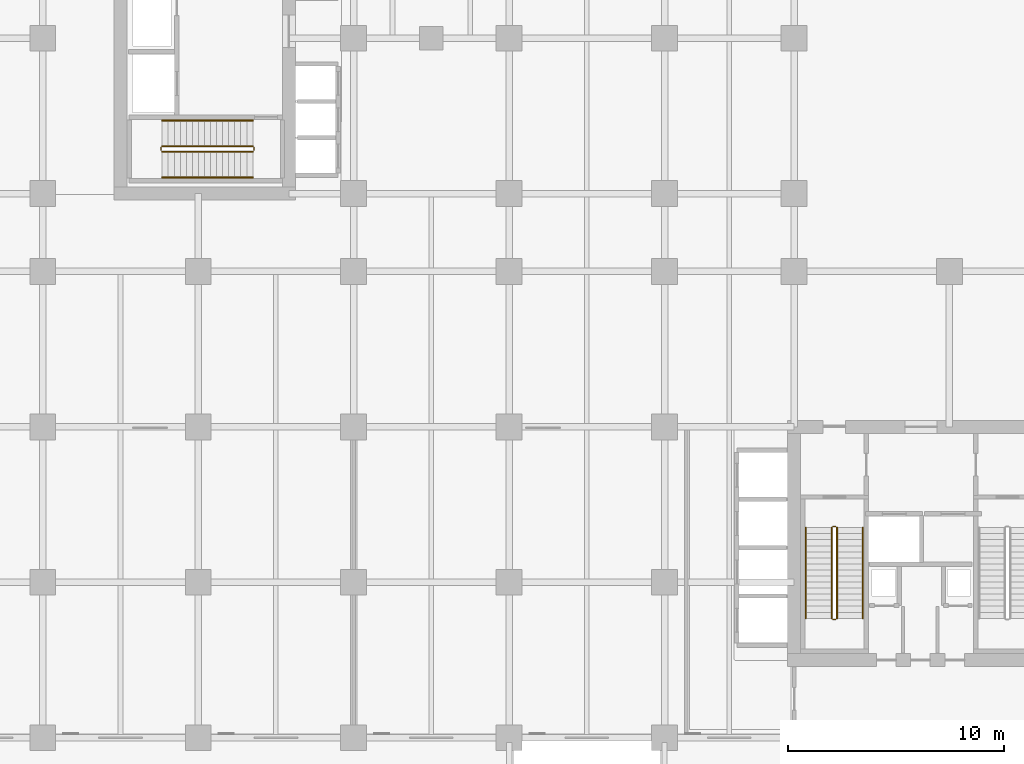
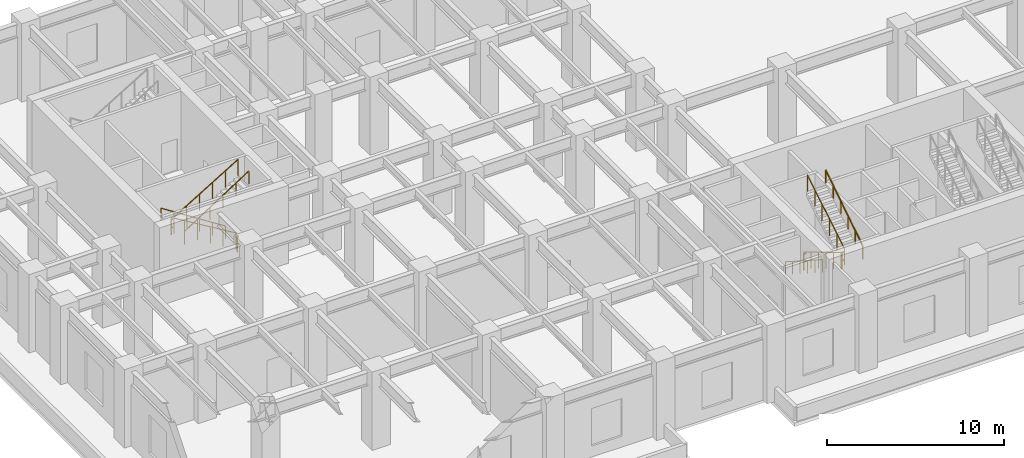
# One storey, part 16 of 20: 12 railings.
"""IFC4 building model written with IfcOpenShell, lengths in metres."""

from ifc_helpers import new_model, si_unit, derived_unit, direction, frame, origin, origin_2d, place, context, subcontext, project, spatial, rectangle, extrude, material, type_object, element, save


model = new_model("IFC4")

# Units and contexts
model_context = context("Model", 3, precision=1e-05, world=origin(), true_north=direction((0.0, 1.0)))
body_context = subcontext(model_context, "Body", "Model", "MODEL_VIEW")
ifc_project = project(units=[si_unit("LENGTHUNIT", "METRE"), si_unit("AREAUNIT", "SQUARE_METRE"), si_unit("VOLUMEUNIT", "CUBIC_METRE"), si_unit("PLANEANGLEUNIT", "RADIAN"), si_unit("MASSUNIT", "GRAM", prefix="KILO"), si_unit("THERMODYNAMICTEMPERATUREUNIT", "KELVIN"), si_unit("POWERUNIT", "WATT"), derived_unit("THERMALTRANSMITTANCEUNIT", [(si_unit("POWERUNIT", "WATT"), 1), (si_unit("AREAUNIT", "SQUARE_METRE"), -1), (si_unit("THERMODYNAMICTEMPERATUREUNIT", "KELVIN"), -1)])], contexts=[model_context])

# Site, building, storey
site_placement = place(None, origin())
site = spatial("IfcSite", under=ifc_project, at=site_placement, CompositionType="ELEMENT")
building_placement = place(site_placement, origin())
building = spatial("IfcBuilding", under=site, at=building_placement, Name="Zahravan Archway Hotel and Residences", CompositionType="ELEMENT")
storey_placement = place(building_placement, frame((0.0, 0.0, 16.199951171875)))
storey = spatial("IfcBuildingStorey", under=building, at=storey_placement, Name="L03", CompositionType="ELEMENT", Elevation=16.199951171875)

# Railings
ifc_material_1 = material(Name="Painted Tubular Steel", Category="steel")
railing_type_1 = type_object("IfcRailingType", Name="RL-STG-1150", PredefinedType="GUARDRAIL", material=ifc_material_1)
railing_1_placement = place(storey_placement, frame((36.550048828125, 9.72998046875, 0.168701171875)))
element("IfcRailing", 1, at=railing_1_placement, inside=storey, type_object=railing_type_1, Name="L03 ST-A1 stair guard 1", PredefinedType="GUARDRAIL", context=body_context, shape_type="SweptSolid", body=[
    extrude(rectangle(XDim=0.048095703125, YDim=0.048095703125, at=origin_2d()), frame((0.0, 0.0, 1.1259765625), z_axis=(0.0, -0.856476492594, 0.516186030065), x_axis=(1.0, 0.0, 0.0)), (0.0, 0.0, 1.0), 4.90380859375),
    extrude(rectangle(XDim=0.0419921875, YDim=0.0419921875, at=origin_2d()), origin(), (0.0, 0.0, 1.0), 1.101806640625),
    extrude(rectangle(XDim=0.0419921875, YDim=0.0419921875, at=origin_2d()), frame((0.0, -0.840087890625, 0.50634765625)), (0.0, 0.0, 1.0), 1.101806640625),
    extrude(rectangle(XDim=0.0419921875, YDim=0.0419921875, at=origin_2d()), frame((0.0, -1.679931640625, 1.012451171875)), (0.0, 0.0, 1.0), 1.101806640625),
    extrude(rectangle(XDim=0.0419921875, YDim=0.0419921875, at=origin_2d()), frame((0.0, -2.52001953125, 1.518798828125)), (0.0, 0.0, 1.0), 1.101806640625),
    extrude(rectangle(XDim=0.0419921875, YDim=0.0419921875, at=origin_2d()), frame((0.0, -3.35986328125, 2.02490234375)), (0.0, 0.0, 1.0), 1.101806640625),
    extrude(rectangle(XDim=0.0419921875, YDim=0.0419921875, at=origin_2d()), frame((0.0, -4.199951171875, 2.53125)), (0.0, 0.0, 1.0), 1.101806640625),
])
railing_2_placement = place(storey_placement, frame((36.60009765625, 5.47998046875, 2.699951171875)))
element("IfcRailing", 2, at=railing_2_placement, inside=storey, type_object=railing_type_1, Name="L03 ST-A1 stair guard 2", PredefinedType="GUARDRAIL", context=body_context, shape_type="SweptSolid", body=[
    extrude(rectangle(XDim=0.048095703125, YDim=0.048095703125, at=origin_2d()), frame((0.0, 0.0, 1.1259765625), z_axis=(1.0, 0.0, 0.0), x_axis=(0.0, 1.0, 0.0)), (0.0, 0.0, 1.0), 0.139892578125),
    extrude(rectangle(XDim=0.048095703125, YDim=0.048095703125, at=origin_2d()), frame((0.0, 0.0, 0.574951171875), z_axis=(1.0, 0.0, 0.0), x_axis=(0.0, 1.0, 0.0)), (0.0, 0.0, 1.0), 0.139892578125),
    extrude(rectangle(XDim=0.0419921875, YDim=0.0419921875, at=origin_2d()), origin(), (0.0, 0.0, 1.0), 1.101806640625),
])
railing_3_placement = place(storey_placement, frame((36.7900390625, 5.530029296875, 2.868896484375)))
element("IfcRailing", 3, at=railing_3_placement, inside=storey, type_object=railing_type_1, Name="L03 ST-A1 stair guard 3", PredefinedType="GUARDRAIL", context=body_context, shape_type="SweptSolid", body=[
    extrude(rectangle(XDim=0.048095703125, YDim=0.048095703125, at=origin_2d()), frame((0.0, 0.0, 1.1259765625), z_axis=(0.0, 0.856476492594, 0.516186030065), x_axis=(-1.0, 0.0, 0.0)), (0.0, 0.0, 1.0), 4.90380859375),
    extrude(rectangle(XDim=0.0419921875, YDim=0.0419921875, at=origin_2d()), origin(), (0.0, 0.0, 1.0), 1.101806640625),
    extrude(rectangle(XDim=0.0419921875, YDim=0.0419921875, at=origin_2d()), frame((0.0, 0.840087890625, 0.50634765625)), (0.0, 0.0, 1.0), 1.101806640625),
    extrude(rectangle(XDim=0.0419921875, YDim=0.0419921875, at=origin_2d()), frame((0.0, 1.679931640625, 1.012451171875)), (0.0, 0.0, 1.0), 1.101806640625),
    extrude(rectangle(XDim=0.0419921875, YDim=0.0419921875, at=origin_2d()), frame((0.0, 2.52001953125, 1.518798828125)), (0.0, 0.0, 1.0), 1.101806640625),
    extrude(rectangle(XDim=0.0419921875, YDim=0.0419921875, at=origin_2d()), frame((0.0, 3.35986328125, 2.02490234375)), (0.0, 0.0, 1.0), 1.101806640625),
    extrude(rectangle(XDim=0.0419921875, YDim=0.0419921875, at=origin_2d()), frame((0.0, 4.199951171875, 2.53125)), (0.0, 0.0, 1.0), 1.101806640625),
])
railing_4_placement = place(storey_placement, frame((36.60009765625, 9.780029296875, 0.0)))
element("IfcRailing", 4, at=railing_4_placement, inside=storey, type_object=railing_type_1, Name="L03 ST-A1 stair guard 4", PredefinedType="GUARDRAIL", context=body_context, shape_type="SweptSolid", body=[
    extrude(rectangle(XDim=0.048095703125, YDim=0.048095703125, at=origin_2d()), frame((0.0, 0.0, 1.1259765625), z_axis=(1.0, 0.0, 0.0), x_axis=(0.0, 1.0, 0.0)), (0.0, 0.0, 1.0), 0.139892578125),
    extrude(rectangle(XDim=0.048095703125, YDim=0.048095703125, at=origin_2d()), frame((0.0, 0.0, 0.574951171875), z_axis=(1.0, 0.0, 0.0), x_axis=(0.0, 1.0, 0.0)), (0.0, 0.0, 1.0), 0.139892578125),
    extrude(rectangle(XDim=0.0419921875, YDim=0.0419921875, at=origin_2d()), origin(), (0.0, 0.0, 1.0), 1.101806640625),
])
railing_5_placement = place(storey_placement, frame((9.72998046875, 27.389892578125, 0.168701171875)))
element("IfcRailing", 5, at=railing_5_placement, inside=storey, type_object=railing_type_1, Name="L03 ST-B1 stair guard 1", PredefinedType="GUARDRAIL", context=body_context, shape_type="SweptSolid", body=[
    extrude(rectangle(XDim=0.048095703125, YDim=0.048095703125, at=origin_2d()), frame((0.0, 0.0, 1.1259765625), z_axis=(-0.856476492594, 0.0, 0.516186030065), x_axis=(0.0, -1.0, 0.0)), (0.0, 0.0, 1.0), 4.90380859375),
    extrude(rectangle(XDim=0.0419921875, YDim=0.0419921875, at=origin_2d()), origin(), (0.0, 0.0, 1.0), 1.101806640625),
    extrude(rectangle(XDim=0.0419921875, YDim=0.0419921875, at=origin_2d()), frame((-0.840087890625, 0.0, 0.50634765625)), (0.0, 0.0, 1.0), 1.101806640625),
    extrude(rectangle(XDim=0.0419921875, YDim=0.0419921875, at=origin_2d()), frame((-1.679931640625, 0.0, 1.012451171875)), (0.0, 0.0, 1.0), 1.101806640625),
    extrude(rectangle(XDim=0.0419921875, YDim=0.0419921875, at=origin_2d()), frame((-2.52001953125, 0.0, 1.518798828125)), (0.0, 0.0, 1.0), 1.101806640625),
    extrude(rectangle(XDim=0.0419921875, YDim=0.0419921875, at=origin_2d()), frame((-3.35986328125, 0.0, 2.02490234375)), (0.0, 0.0, 1.0), 1.101806640625),
    extrude(rectangle(XDim=0.0419921875, YDim=0.0419921875, at=origin_2d()), frame((-4.199951171875, 0.0, 2.53125)), (0.0, 0.0, 1.0), 1.101806640625),
])
railing_6_placement = place(storey_placement, frame((5.47998046875, 27.340087890625, 2.699951171875)))
element("IfcRailing", 6, at=railing_6_placement, inside=storey, type_object=railing_type_1, Name="L03 ST-B1 stair guard 2", PredefinedType="GUARDRAIL", context=body_context, shape_type="SweptSolid", body=[
    extrude(rectangle(XDim=0.048095703125, YDim=0.048095703125, at=origin_2d()), frame((0.0, 0.0, 1.1259765625), z_axis=(0.0, -1.0, 0.0), x_axis=(1.0, 0.0, 0.0)), (0.0, 0.0, 1.0), 0.14013671875),
    extrude(rectangle(XDim=0.048095703125, YDim=0.048095703125, at=origin_2d()), frame((0.0, 0.0, 0.574951171875), z_axis=(0.0, -1.0, 0.0), x_axis=(1.0, 0.0, 0.0)), (0.0, 0.0, 1.0), 0.14013671875),
    extrude(rectangle(XDim=0.0419921875, YDim=0.0419921875, at=origin_2d()), origin(), (0.0, 0.0, 1.0), 1.101806640625),
])
railing_7_placement = place(storey_placement, frame((5.530029296875, 27.14990234375, 2.868896484375)))
element("IfcRailing", 7, at=railing_7_placement, inside=storey, type_object=railing_type_1, Name="L03 ST-B1 stair guard 3", PredefinedType="GUARDRAIL", context=body_context, shape_type="SweptSolid", body=[
    extrude(rectangle(XDim=0.048095703125, YDim=0.048095703125, at=origin_2d()), frame((0.0, 0.0, 1.1259765625), z_axis=(0.856476492594, 0.0, 0.516186030065), x_axis=(0.0, 1.0, 0.0)), (0.0, 0.0, 1.0), 4.90380859375),
    extrude(rectangle(XDim=0.0419921875, YDim=0.0419921875, at=origin_2d()), origin(), (0.0, 0.0, 1.0), 1.101806640625),
    extrude(rectangle(XDim=0.0419921875, YDim=0.0419921875, at=origin_2d()), frame((0.840087890625, 0.0, 0.50634765625)), (0.0, 0.0, 1.0), 1.101806640625),
    extrude(rectangle(XDim=0.0419921875, YDim=0.0419921875, at=origin_2d()), frame((1.679931640625, 0.0, 1.012451171875)), (0.0, 0.0, 1.0), 1.101806640625),
    extrude(rectangle(XDim=0.0419921875, YDim=0.0419921875, at=origin_2d()), frame((2.52001953125, 0.0, 1.518798828125)), (0.0, 0.0, 1.0), 1.101806640625),
    extrude(rectangle(XDim=0.0419921875, YDim=0.0419921875, at=origin_2d()), frame((3.35986328125, 0.0, 2.02490234375)), (0.0, 0.0, 1.0), 1.101806640625),
    extrude(rectangle(XDim=0.0419921875, YDim=0.0419921875, at=origin_2d()), frame((4.199951171875, 0.0, 2.53125)), (0.0, 0.0, 1.0), 1.101806640625),
])
railing_8_placement = place(storey_placement, frame((9.780029296875, 27.340087890625, 0.0)))
element("IfcRailing", 8, at=railing_8_placement, inside=storey, type_object=railing_type_1, Name="L03 ST-B1 stair guard 4", PredefinedType="GUARDRAIL", context=body_context, shape_type="SweptSolid", body=[
    extrude(rectangle(XDim=0.048095703125, YDim=0.048095703125, at=origin_2d()), frame((0.0, 0.0, 1.1259765625), z_axis=(0.0, -1.0, 0.0), x_axis=(1.0, 0.0, 0.0)), (0.0, 0.0, 1.0), 0.14013671875),
    extrude(rectangle(XDim=0.048095703125, YDim=0.048095703125, at=origin_2d()), frame((0.0, 0.0, 0.574951171875), z_axis=(0.0, -1.0, 0.0), x_axis=(1.0, 0.0, 0.0)), (0.0, 0.0, 1.0), 0.14013671875),
    extrude(rectangle(XDim=0.0419921875, YDim=0.0419921875, at=origin_2d()), origin(), (0.0, 0.0, 1.0), 1.101806640625),
])
ifc_material_2 = material(Name="Brushed Stainless Steel", Category="steel")
railing_type_2 = type_object("IfcRailingType", Name="RL-STH-900", PredefinedType="HANDRAIL", material=ifc_material_2)
railing_9_placement = place(storey_placement, frame((35.35009765625, 9.72998046875, 0.168701171875)))
element("IfcRailing", 9, at=railing_9_placement, inside=storey, type_object=railing_type_2, Name="L03 ST-A1 stair handrail 1", PredefinedType="HANDRAIL", context=body_context, shape_type="SweptSolid", body=[
    extrude(rectangle(XDim=0.048095703125, YDim=0.048095703125, at=origin_2d()), frame((0.0, 0.0, 0.8759765625), z_axis=(0.0, -0.841157821942, 0.54078971753), x_axis=(1.0, 0.0, 0.0)), (0.0, 0.0, 1.0), 4.9931640625),
    extrude(rectangle(XDim=0.0419921875, YDim=0.0419921875, at=origin_2d()), origin(), (0.0, 0.0, 1.0), 0.851806640625),
    extrude(rectangle(XDim=0.0419921875, YDim=0.0419921875, at=origin_2d()), frame((0.0, -0.840087890625, 0.5400390625)), (0.0, 0.0, 1.0), 0.851806640625),
    extrude(rectangle(XDim=0.0419921875, YDim=0.0419921875, at=origin_2d()), frame((0.0, -1.679931640625, 1.080078125)), (0.0, 0.0, 1.0), 0.851806640625),
    extrude(rectangle(XDim=0.0419921875, YDim=0.0419921875, at=origin_2d()), frame((0.0, -2.52001953125, 1.6201171875)), (0.0, 0.0, 1.0), 0.851806640625),
    extrude(rectangle(XDim=0.0419921875, YDim=0.0419921875, at=origin_2d()), frame((0.0, -3.35986328125, 2.16015625)), (0.0, 0.0, 1.0), 0.851806640625),
    extrude(rectangle(XDim=0.0419921875, YDim=0.0419921875, at=origin_2d()), frame((0.0, -4.199951171875, 2.7001953125)), (0.0, 0.0, 1.0), 0.851806640625),
])
railing_10_placement = place(storey_placement, frame((37.989990234375, 5.530029296875, 2.868896484375)))
element("IfcRailing", 10, at=railing_10_placement, inside=storey, type_object=railing_type_2, Name="L03 ST-A1 stair handrail 2", PredefinedType="HANDRAIL", context=body_context, shape_type="SweptSolid", body=[
    extrude(rectangle(XDim=0.048095703125, YDim=0.048095703125, at=origin_2d()), frame((0.0, 0.0, 0.8759765625), z_axis=(0.0, 0.841180064094, 0.540755119968), x_axis=(-1.0, 0.0, 0.0)), (0.0, 0.0, 1.0), 4.992919921875),
    extrude(rectangle(XDim=0.0419921875, YDim=0.0419921875, at=origin_2d()), origin(), (0.0, 0.0, 1.0), 0.851806640625),
    extrude(rectangle(XDim=0.0419921875, YDim=0.0419921875, at=origin_2d()), frame((0.0, 0.840087890625, 0.5400390625)), (0.0, 0.0, 1.0), 0.851806640625),
    extrude(rectangle(XDim=0.0419921875, YDim=0.0419921875, at=origin_2d()), frame((0.0, 1.679931640625, 1.080078125)), (0.0, 0.0, 1.0), 0.851806640625),
    extrude(rectangle(XDim=0.0419921875, YDim=0.0419921875, at=origin_2d()), frame((0.0, 2.52001953125, 1.619873046875)), (0.0, 0.0, 1.0), 0.851806640625),
    extrude(rectangle(XDim=0.0419921875, YDim=0.0419921875, at=origin_2d()), frame((0.0, 3.35986328125, 2.159912109375)), (0.0, 0.0, 1.0), 0.851806640625),
    extrude(rectangle(XDim=0.0419921875, YDim=0.0419921875, at=origin_2d()), frame((0.0, 4.199951171875, 2.699951171875)), (0.0, 0.0, 1.0), 0.851806640625),
])
railing_11_placement = place(storey_placement, frame((9.72998046875, 28.590087890625, 0.168701171875)))
element("IfcRailing", 11, at=railing_11_placement, inside=storey, type_object=railing_type_2, Name="L03 ST-B1 stair handrail 1", PredefinedType="HANDRAIL", context=body_context, shape_type="SweptSolid", body=[
    extrude(rectangle(XDim=0.048095703125, YDim=0.048095703125, at=origin_2d()), frame((0.0, 0.0, 0.8759765625), z_axis=(-0.841157821942, 0.0, 0.54078971753), x_axis=(0.0, -1.0, 0.0)), (0.0, 0.0, 1.0), 4.9931640625),
    extrude(rectangle(XDim=0.0419921875, YDim=0.0419921875, at=origin_2d()), origin(), (0.0, 0.0, 1.0), 0.851806640625),
    extrude(rectangle(XDim=0.0419921875, YDim=0.0419921875, at=origin_2d()), frame((-0.840087890625, 0.0, 0.5400390625)), (0.0, 0.0, 1.0), 0.851806640625),
    extrude(rectangle(XDim=0.0419921875, YDim=0.0419921875, at=origin_2d()), frame((-1.679931640625, 0.0, 1.080078125)), (0.0, 0.0, 1.0), 0.851806640625),
    extrude(rectangle(XDim=0.0419921875, YDim=0.0419921875, at=origin_2d()), frame((-2.52001953125, 0.0, 1.6201171875)), (0.0, 0.0, 1.0), 0.851806640625),
    extrude(rectangle(XDim=0.0419921875, YDim=0.0419921875, at=origin_2d()), frame((-3.35986328125, 0.0, 2.16015625)), (0.0, 0.0, 1.0), 0.851806640625),
    extrude(rectangle(XDim=0.0419921875, YDim=0.0419921875, at=origin_2d()), frame((-4.199951171875, 0.0, 2.7001953125)), (0.0, 0.0, 1.0), 0.851806640625),
])
railing_12_placement = place(storey_placement, frame((5.530029296875, 25.949951171875, 2.868896484375)))
element("IfcRailing", 12, at=railing_12_placement, inside=storey, type_object=railing_type_2, Name="L03 ST-B1 stair handrail 2", PredefinedType="HANDRAIL", context=body_context, shape_type="SweptSolid", body=[
    extrude(rectangle(XDim=0.048095703125, YDim=0.048095703125, at=origin_2d()), frame((0.0, 0.0, 0.8759765625), z_axis=(0.841180064094, 0.0, 0.540755119968), x_axis=(0.0, 1.0, 0.0)), (0.0, 0.0, 1.0), 4.992919921875),
    extrude(rectangle(XDim=0.0419921875, YDim=0.0419921875, at=origin_2d()), origin(), (0.0, 0.0, 1.0), 0.851806640625),
    extrude(rectangle(XDim=0.0419921875, YDim=0.0419921875, at=origin_2d()), frame((0.840087890625, 0.0, 0.5400390625)), (0.0, 0.0, 1.0), 0.851806640625),
    extrude(rectangle(XDim=0.0419921875, YDim=0.0419921875, at=origin_2d()), frame((1.679931640625, 0.0, 1.080078125)), (0.0, 0.0, 1.0), 0.851806640625),
    extrude(rectangle(XDim=0.0419921875, YDim=0.0419921875, at=origin_2d()), frame((2.52001953125, 0.0, 1.619873046875)), (0.0, 0.0, 1.0), 0.851806640625),
    extrude(rectangle(XDim=0.0419921875, YDim=0.0419921875, at=origin_2d()), frame((3.35986328125, 0.0, 2.159912109375)), (0.0, 0.0, 1.0), 0.851806640625),
    extrude(rectangle(XDim=0.0419921875, YDim=0.0419921875, at=origin_2d()), frame((4.199951171875, 0.0, 2.699951171875)), (0.0, 0.0, 1.0), 0.851806640625),
])

save(model, "model.ifc")
